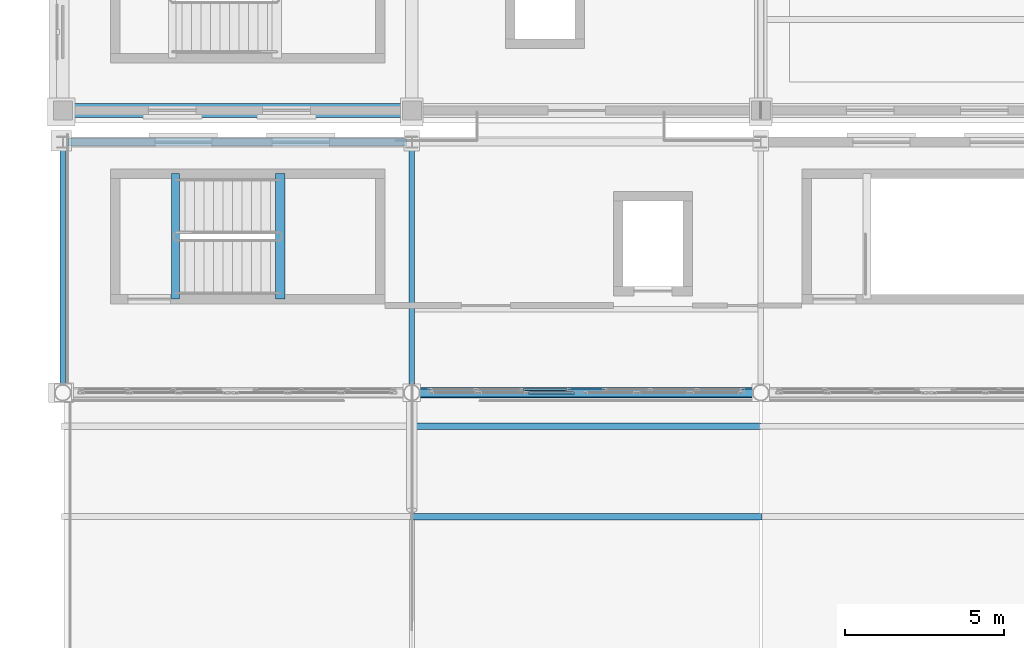
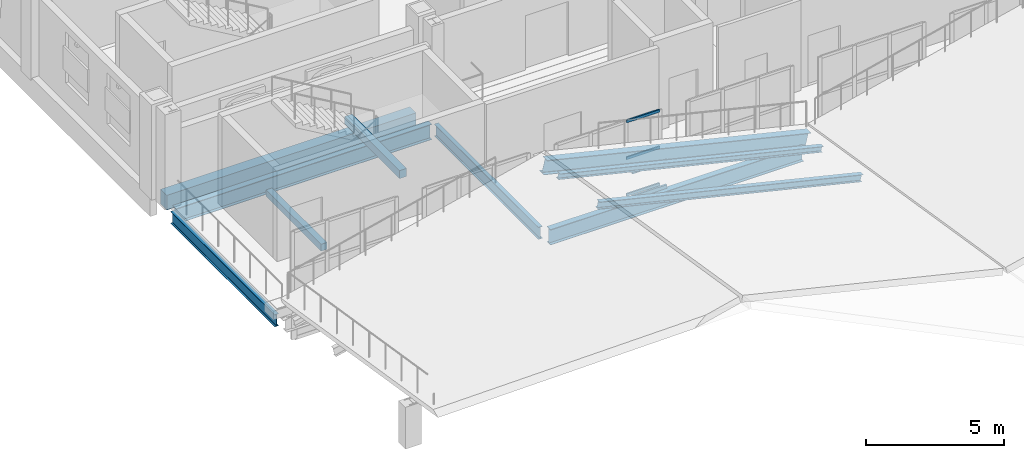
# One storey, part 21 of 120: 8 beams, 7 members, 2 elements without a shape of their own.
"""IFC4 building model written with IfcOpenShell, lengths in metres."""

from ifc_helpers import new_model, si_unit, direction, frame, origin, origin_2d, place, context, subcontext, project, spatial, rectangle, hollow_rectangle, i_section, extrude, material, material_profile, profile_set, type_object, element, aggregate, save


model = new_model("IFC4")

# Units and contexts
model_context = context("Model", 3, precision=1e-05, world=origin(), true_north=direction((0.0, 1.0)))
body_context = subcontext(model_context, "Body", "Model", "MODEL_VIEW")
ifc_project = project(units=[si_unit("LENGTHUNIT", "METRE"), si_unit("AREAUNIT", "SQUARE_METRE"), si_unit("VOLUMEUNIT", "CUBIC_METRE"), si_unit("PLANEANGLEUNIT", "RADIAN"), si_unit("MASSUNIT", "GRAM", prefix="KILO")], contexts=[model_context])

# Site, building, storey
site_placement = place(None, origin())
site = spatial("IfcSite", under=ifc_project, at=site_placement, CompositionType="ELEMENT")
building_placement = place(site_placement, origin())
building = spatial("IfcBuilding", under=site, at=building_placement, Name="Caurita Quay Ferry Terminal", CompositionType="ELEMENT")
storey_placement = place(building_placement, frame((0.0, 0.0, 9.89990234375)))
storey = spatial("IfcBuildingStorey", under=building, at=storey_placement, Name="L02", CompositionType="ELEMENT", Elevation=9.89990234375)

# Beams
ifc_material_1 = material(Name="Structural steel ASTM A992 Gr. 50", Category="steel")
ifc_material_profile_1 = material_profile(ifc_material_1, i_section(OverallWidth=0.3251953125, OverallDepth=0.612060546875, WebThickness=0.0126953125, FlangeThickness=0.01904296875, FilletRadius=0.01513671875, at=origin_2d()), Name="W24X104")
ifc_profile_set_1 = profile_set([ifc_material_profile_1], Name="Structural steel ASTM A992 Gr. 50")
beam_type_1 = type_object("IfcBeamType", Name="BM-GR-W24A", PredefinedType="BEAM", material=ifc_profile_set_1)
beam_1_placement = place(storey_placement, frame((11.0, 62.699951171875, 2.610107421875), z_axis=(0.972389456854, 0.0, -0.233363973654), x_axis=(0.0, 1.0, 0.0)))
element("IfcBeam", 1, at=beam_1_placement, inside=storey, type_object=beam_type_1, Name="Folded Roof Gable Ring Girder V1-N-11", PredefinedType="BEAM", context=body_context, shape_type="SweptSolid", body=[
    extrude(i_section(OverallWidth=0.3251953125, OverallDepth=0.612060546875, WebThickness=0.0126953125, FlangeThickness=0.01904296875, FilletRadius=0.01513671875, at=origin_2d()), origin(), (0.0, 0.0, 1.0), 11.312255859375),
])
ifc_material_profile_2 = material_profile(ifc_material_1, i_section(OverallWidth=0.25390625, OverallDepth=0.68310546875, WebThickness=0.012451171875, FlangeThickness=0.018798828125, at=origin_2d()), Name="W27X94")
ifc_profile_set_2 = profile_set([ifc_material_profile_2], Name="Structural steel ASTM A992 Gr. 50")
beam_type_2 = type_object("IfcBeamType", Name="BM-GR-W27B", PredefinedType="BEAM", material=ifc_profile_set_2)
beam_2_placement = place(storey_placement, frame((11.2158203125, 62.699951171875, -0.5615234375), z_axis=(1.0, 0.0, 0.0), x_axis=(0.0, 1.0, 0.0)))
element("IfcBeam", 2, at=beam_2_placement, inside=storey, type_object=beam_type_2, Name="L02 Beam BM-V1-L02-X-112-627", PredefinedType="BEAM", context=body_context, shape_type="SweptSolid", body=[
    extrude(i_section(OverallWidth=0.25390625, OverallDepth=0.68310546875, WebThickness=0.012451171875, FlangeThickness=0.018798828125, at=origin_2d()), origin(), (0.0, 0.0, 1.0), 10.568359375),
])
beam_3_placement = place(storey_placement, frame((0.167236328125, 70.60009765625, -0.5615234375), z_axis=(1.0, 0.0, 0.0), x_axis=(0.0, 1.0, 0.0)))
element("IfcBeam", 3, at=beam_3_placement, inside=storey, type_object=beam_type_2, Name="L02 Beam BM-V1-L02-X-2-706", PredefinedType="BEAM", context=body_context, shape_type="SweptSolid", body=[
    extrude(i_section(OverallWidth=0.25390625, OverallDepth=0.68310546875, WebThickness=0.012451171875, FlangeThickness=0.018798828125, at=origin_2d()), origin(), (0.0, 0.0, 1.0), 10.66552734375),
])
ifc_material_2 = material(Name="Reinforced concrete C35/45", Category="concrete")
ifc_material_profile_3 = material_profile(ifc_material_2, rectangle(XDim=0.449951171875, YDim=0.64990234375, at=origin_2d()), Name="RC-BM-450X650")
ifc_profile_set_3 = profile_set([ifc_material_profile_3], Name="Reinforced concrete C35/45")
beam_type_3 = type_object("IfcBeamType", Name="BM-RC-4565", PredefinedType="BEAM", material=ifc_profile_set_3)
beam_4_placement = place(storey_placement, frame((0.297607421875, 71.60009765625, -0.544921875), z_axis=(1.0, 0.0, 0.0), x_axis=(0.0, 1.0, 0.0)))
element("IfcBeam", 4, at=beam_4_placement, inside=storey, type_object=beam_type_3, Name="L02 Beam BM-V5-L02-X-3-716", PredefinedType="BEAM", context=body_context, shape_type="SweptSolid", body=[
    extrude(rectangle(XDim=0.449951171875, YDim=0.64990234375, at=origin_2d()), origin(), (0.0, 0.0, 1.0), 10.40478515625),
])
ifc_material_profile_4 = material_profile(ifc_material_1, i_section(OverallWidth=0.16650390625, OverallDepth=0.535888671875, WebThickness=0.01025390625, FlangeThickness=0.0166015625, FilletRadius=0.013916015625, at=origin_2d()), Name="W21X57")
ifc_profile_set_4 = profile_set([ifc_material_profile_4], Name="Structural steel ASTM A992 Gr. 50")
beam_type_4 = type_object("IfcBeamType", Name="BM-SP-W21B", PredefinedType="SPANDREL", material=ifc_profile_set_4)
for number, where, z_axis, x_axis, name in (
    (5, (0.0, 62.916015625, -0.48779296875), (0.0, 1.0, 0.0), (-1.0, 0.0, 0.0), "L02 Beam BM-V1-L02-Y-0-629"),
    (6, (11.0, 62.916015625, -0.48779296875), (0.0, 1.0, 0.0), (-1.0, 0.0, 0.0), "L02 Beam BM-V1-L02-Y-110-629"),
):
    element("IfcBeam", number, at=place(storey_placement, frame(where, z_axis=z_axis, x_axis=x_axis)), inside=storey, type_object=beam_type_4, Name=name, PredefinedType="SPANDREL", context=body_context, shape_type="SweptSolid", body=[
        extrude(i_section(OverallWidth=0.16650390625, OverallDepth=0.535888671875, WebThickness=0.01025390625, FlangeThickness=0.0166015625, FilletRadius=0.013916015625, at=origin_2d()), origin(), (0.0, 0.0, 1.0), 7.524169921875),
    ])

# Curtain wall, members
ifc_material_3 = material(Name="Laminated solar-control insulated glass", Category="glass")
curtain_wall_type_1 = type_object("IfcCurtainWallType", Name="CW-SYS-13", PredefinedType="NOTDEFINED", material=ifc_material_3)
curtain_wall_1_placement = place(storey_placement, origin())
curtain_wall_1 = element("IfcCurtainWall", 7, at=curtain_wall_1_placement, inside=storey, type_object=curtain_wall_type_1, Name="Mezzanine Hall Overlook Glazing 091", PredefinedType="NOTDEFINED")
ifc_material_4 = material(Name="Anodized aluminium 6063-T6", Category="aluminium")
ifc_material_profile_5 = material_profile(ifc_material_4, hollow_rectangle(XDim=0.06005859375, YDim=0.114990234375, WallThickness=0.00341796875, at=origin_2d()), Name="ALU-TRN-60X115")
ifc_profile_set_5 = profile_set([ifc_material_profile_5], Name="Anodized aluminium 6063-T6")
member_type_1 = type_object("IfcMemberType", Name="CW-TRN-115", PredefinedType="USERDEFINED", material=ifc_profile_set_5)
member_1_placement = place(storey_placement, frame((14.51123046875, 62.800048828125, 0.030029296875), z_axis=(1.0, 0.0, 0.0), x_axis=(0.0, 1.0, 0.0)))
member_1 = element("IfcMember", 8, at=member_1_placement, type_object=member_type_1, Name="CW-MZL-091 Transom 7", ObjectType="TRANSOM", PredefinedType="USERDEFINED", context=body_context, shape_type="SweptSolid", body=[
    extrude(hollow_rectangle(XDim=0.06005859375, YDim=0.114990234375, WallThickness=0.00341796875, at=origin_2d()), origin(), (0.0, 0.0, 1.0), 1.380859375),
])
member_2_placement = place(storey_placement, frame((14.51123046875, 62.800048828125, 1.650146484375), z_axis=(1.0, 0.0, 0.0), x_axis=(0.0, 1.0, 0.0)))
member_2 = element("IfcMember", 9, at=member_2_placement, type_object=member_type_1, Name="CW-MZL-091 Transom 8", ObjectType="TRANSOM", PredefinedType="USERDEFINED", context=body_context, shape_type="SweptSolid", body=[
    extrude(hollow_rectangle(XDim=0.06005859375, YDim=0.114990234375, WallThickness=0.00341796875, at=origin_2d()), origin(), (0.0, 0.0, 1.0), 1.380859375),
])
member_3_placement = place(storey_placement, frame((14.51123046875, 62.800048828125, 3.27001953125), z_axis=(1.0, 0.0, 0.0), x_axis=(0.0, 1.0, 0.0)))
member_3 = element("IfcMember", 10, at=member_3_placement, type_object=member_type_1, Name="CW-MZL-091 Transom 9", ObjectType="TRANSOM", PredefinedType="USERDEFINED", context=body_context, shape_type="SweptSolid", body=[
    extrude(hollow_rectangle(XDim=0.06005859375, YDim=0.114990234375, WallThickness=0.00341796875, at=origin_2d()), origin(), (0.0, 0.0, 1.0), 1.380859375),
])
aggregate(curtain_wall_1, [member_1, member_2, member_3])

curtain_wall_type_2 = type_object("IfcCurtainWallType", Name="CW-SYS-05", PredefinedType="NOTDEFINED", material=ifc_material_3)
curtain_wall_2_placement = place(storey_placement, origin())
curtain_wall_2 = element("IfcCurtainWall", 11, at=curtain_wall_2_placement, inside=storey, type_object=curtain_wall_type_2, Name="Folded Roof Clerestory FB-01-N3", PredefinedType="NOTDEFINED")
ifc_material_profile_6 = material_profile(ifc_material_4, hollow_rectangle(XDim=0.074951171875, YDim=0.159912109375, WallThickness=0.00390625, at=origin_2d()), Name="ALU-TRN-75X160")
ifc_profile_set_6 = profile_set([ifc_material_profile_6], Name="Anodized aluminium 6063-T6")
member_type_2 = type_object("IfcMemberType", Name="CW-TRN-160", PredefinedType="USERDEFINED", material=ifc_profile_set_6)
member_4_placement = place(storey_placement, frame((14.685546875, 62.699951171875, -0.08544921875), z_axis=(1.0, 0.0, 0.0), x_axis=(0.0, 1.0, 0.0)))
member_4 = element("IfcMember", 12, at=member_4_placement, type_object=member_type_2, Name="CW-CLR-007 Transom 5", ObjectType="TRANSOM", PredefinedType="USERDEFINED", context=body_context, shape_type="SweptSolid", body=[
    extrude(hollow_rectangle(XDim=0.074951171875, YDim=0.159912109375, WallThickness=0.00390625, at=origin_2d()), origin(), (0.0, 0.0, 1.0), 1.44140625),
])
member_5_placement = place(storey_placement, frame((14.685546875, 62.699951171875, 1.03955078125), z_axis=(1.0, 0.0, 0.0), x_axis=(0.0, 1.0, 0.0)))
member_5 = element("IfcMember", 13, at=member_5_placement, type_object=member_type_2, Name="CW-CLR-007 Transom 6", ObjectType="TRANSOM", PredefinedType="USERDEFINED", context=body_context, shape_type="SweptSolid", body=[
    extrude(hollow_rectangle(XDim=0.074951171875, YDim=0.159912109375, WallThickness=0.00390625, at=origin_2d()), origin(), (0.0, 0.0, 1.0), 1.44140625),
])
aggregate(curtain_wall_2, [member_4, member_5])

# Beams
ifc_material_profile_7 = material_profile(ifc_material_2, rectangle(XDim=0.25, YDim=0.300048828125, at=origin_2d()), Name="RC-LN-250X300")
ifc_profile_set_7 = profile_set([ifc_material_profile_7], Name="Reinforced concrete C35/45")
beam_type_5 = type_object("IfcBeamType", Name="LN-RC-2530", PredefinedType="LINTEL", material=ifc_profile_set_7)
beam_5_placement = place(storey_placement, frame((3.550048828125, 65.64990234375, -0.14990234375), z_axis=(0.0, 1.0, 0.0), x_axis=(-1.0, 0.0, 0.0)))
element("IfcBeam", 14, at=beam_5_placement, inside=storey, type_object=beam_type_5, Name="L02 Stair ST-05 Landing Trimmer Beam", PredefinedType="LINTEL", context=body_context, shape_type="SweptSolid", body=[
    extrude(rectangle(XDim=0.25, YDim=0.300048828125, at=origin_2d()), origin(), (0.0, 0.0, 1.0), 3.960205078125),
])
ifc_material_profile_8 = material_profile(ifc_material_2, rectangle(XDim=0.300048828125, YDim=0.35009765625, at=origin_2d()), Name="RC-LN-300X350")
ifc_profile_set_8 = profile_set([ifc_material_profile_8], Name="Reinforced concrete C35/45")
beam_type_6 = type_object("IfcBeamType", Name="LN-RC-3035", PredefinedType="LINTEL", material=ifc_profile_set_8)
beam_6_placement = place(storey_placement, frame((6.85009765625, 65.64990234375, 1.925048828125), z_axis=(0.0, 1.0, 0.0), x_axis=(-1.0, 0.0, 0.0)))
element("IfcBeam", 15, at=beam_6_placement, inside=storey, type_object=beam_type_6, Name="L02 Stair ST-05 Half-Landing Beam 1", PredefinedType="LINTEL", context=body_context, shape_type="SweptSolid", body=[
    extrude(rectangle(XDim=0.300048828125, YDim=0.35009765625, at=origin_2d()), origin(), (0.0, 0.0, 1.0), 3.960205078125),
])

# Members
ifc_material_profile_9 = material_profile(ifc_material_1, i_section(OverallWidth=0.2021484375, OverallDepth=0.246337890625, WebThickness=0.00732421875, FlangeThickness=0.010986328125, FilletRadius=0.01025390625, at=origin_2d()), Name="W10X33")
ifc_profile_set_9 = profile_set([ifc_material_profile_9], Name="Structural steel ASTM A992 Gr. 50")
member_type_3 = type_object("IfcMemberType", Name="MEM-PUR-10", PredefinedType="PURLIN", material=ifc_profile_set_9)
member_6_placement = place(storey_placement, frame((11.0, 61.64990234375, 2.80810546875), z_axis=(0.972389456854, 0.0, -0.233363973654), x_axis=(0.0, 1.0, 0.0)))
element("IfcMember", 16, at=member_6_placement, inside=storey, type_object=member_type_3, Name="Folded Roof Purlin PUR-020", PredefinedType="PURLIN", context=body_context, shape_type="SweptSolid", body=[
    extrude(i_section(OverallWidth=0.2021484375, OverallDepth=0.246337890625, WebThickness=0.00732421875, FlangeThickness=0.010986328125, FilletRadius=0.01025390625, at=origin_2d()), origin(), (0.0, 0.0, 1.0), 11.312255859375),
])
ifc_material_profile_10 = material_profile(ifc_material_1, i_section(OverallWidth=0.20458984375, OverallDepth=0.307373046875, WebThickness=0.008544921875, FlangeThickness=0.0146484375, FilletRadius=0.0126953125, at=origin_2d()), Name="W12X45")
ifc_profile_set_10 = profile_set([ifc_material_profile_10], Name="Structural steel ASTM A992 Gr. 50")
member_type_4 = type_object("IfcMemberType", Name="MEM-PUR-12", PredefinedType="PURLIN", material=ifc_profile_set_10)
member_7_placement = place(storey_placement, frame((11.0, 58.800048828125, 3.26416015625), z_axis=(0.972384559308, 0.0, -0.23338437998), x_axis=(0.0, 1.0, 0.0)))
element("IfcMember", 17, at=member_7_placement, inside=storey, type_object=member_type_4, Name="Folded Roof Purlin PUR-019", PredefinedType="PURLIN", context=body_context, shape_type="SweptSolid", body=[
    extrude(i_section(OverallWidth=0.20458984375, OverallDepth=0.307373046875, WebThickness=0.008544921875, FlangeThickness=0.0146484375, FilletRadius=0.0126953125, at=origin_2d()), origin(), (0.0, 0.0, 1.0), 11.3125),
])

save(model, "model.ifc")
